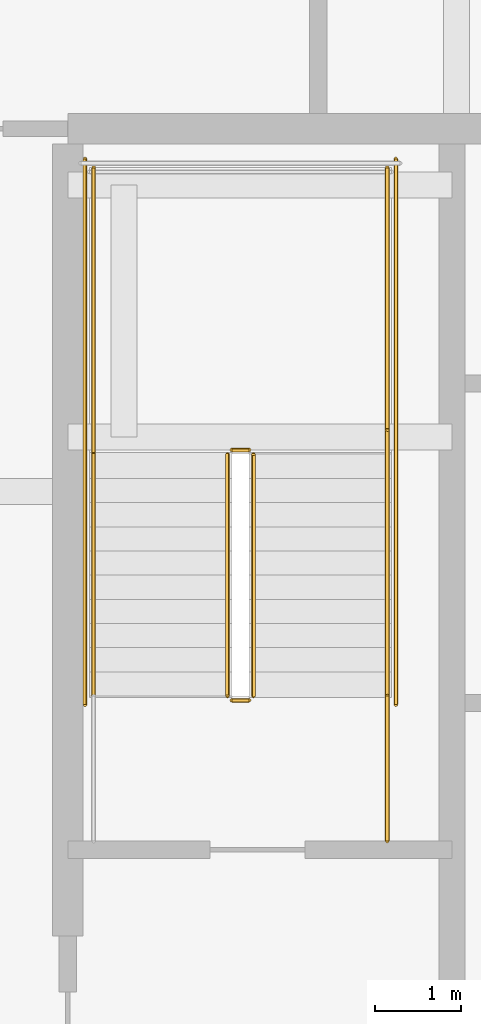
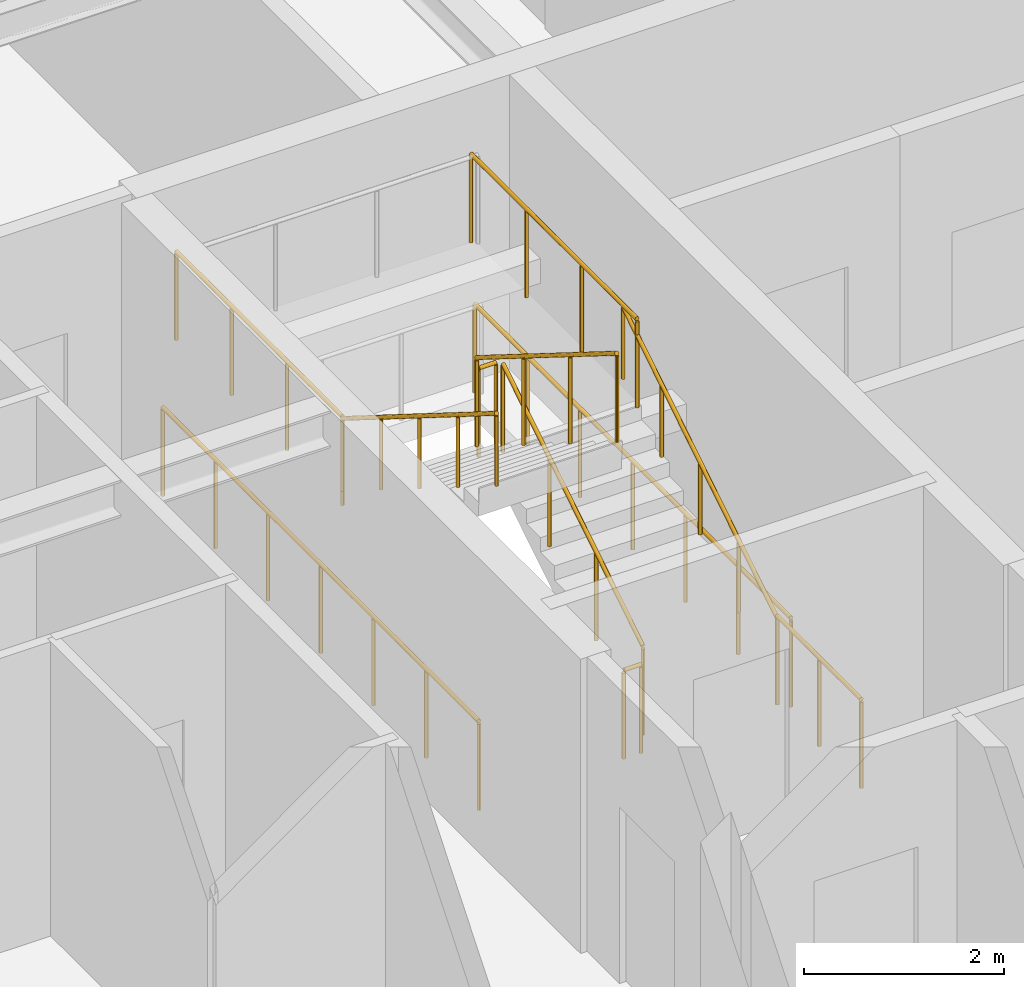
# One storey, part 34 of 37: 11 railings.
"""IFC4 building model written with IfcOpenShell, lengths in metres."""

from ifc_helpers import new_model, si_unit, direction, frame, origin, origin_2d, place, context, subcontext, project, spatial, circle, extrude, material, type_object, element, save


model = new_model("IFC4")

# Units and contexts
model_context = context("Model", 3, precision=1e-05, world=origin(), true_north=direction((0.0, 1.0)))
body_context = subcontext(model_context, "Body", "Model", "MODEL_VIEW")
ifc_project = project(units=[si_unit("LENGTHUNIT", "METRE"), si_unit("AREAUNIT", "SQUARE_METRE"), si_unit("VOLUMEUNIT", "CUBIC_METRE"), si_unit("PLANEANGLEUNIT", "RADIAN"), si_unit("MASSUNIT", "GRAM", prefix="KILO")], contexts=[model_context])

# Site, building, storey
site_placement = place(None, origin())
site = spatial("IfcSite", under=ifc_project, at=site_placement, CompositionType="ELEMENT")
building_placement = place(site_placement, origin())
building = spatial("IfcBuilding", under=site, at=building_placement, Name="Serunith Strait Residences", CompositionType="ELEMENT")
storey_placement = place(building_placement, frame((0.0, 0.0, 279.75)))
storey = spatial("IfcBuildingStorey", under=building, at=storey_placement, Name="L70", CompositionType="ELEMENT", Elevation=279.75)

# Railings
ifc_material = material(Name="Brushed stainless steel 316L", Category="steel")
railing_type_1 = type_object("IfcRailingType", Name="RLG-STAIR-GUARD", PredefinedType="BALUSTRADE", material=ifc_material)
railing_1_placement = place(storey_placement, frame((25.550048828125, 27.030029296875, 0.175048828125)))
element("IfcRailing", 1, at=railing_1_placement, inside=storey, type_object=railing_type_1, Name="L70 ST-1 stair guard 1", PredefinedType="BALUSTRADE", context=body_context, shape_type="SweptSolid", body=[
    extrude(circle(Radius=0.02392578125, at=origin_2d()), frame((0.0, 0.001708984375, 1.0771484375), z_axis=(0.0, 0.848002457836, 0.529992293815), x_axis=(-1.0, 0.0, 0.0)), (0.0, 0.0, 1.0), 3.2978515625),
    extrude(circle(Radius=0.02099609375, at=origin_2d()), origin(), (0.0, 0.0, 1.0), 1.050048828125),
    extrude(circle(Radius=0.02099609375, at=origin_2d()), frame((0.0, 0.933349609375, 0.583251953125)), (0.0, 0.0, 1.0), 1.050048828125),
    extrude(circle(Radius=0.02099609375, at=origin_2d()), frame((0.0, 1.86669921875, 1.166748046875)), (0.0, 0.0, 1.0), 1.050048828125),
    extrude(circle(Radius=0.02099609375, at=origin_2d()), frame((0.0, 2.800048828125, 1.75)), (0.0, 0.0, 1.0), 1.050048828125),
])
railing_2_placement = place(storey_placement, frame((25.5, 29.8798828125, 1.925048828125)))
element("IfcRailing", 2, at=railing_2_placement, inside=storey, type_object=railing_type_1, Name="L70 ST-1 stair guard 2", PredefinedType="BALUSTRADE", context=body_context, shape_type="SweptSolid", body=[
    extrude(circle(Radius=0.02392578125, at=origin_2d()), frame((-0.001953125, 0.0, 1.076171875), z_axis=(-1.0, 0.0, 0.0), x_axis=(0.0, -1.0, 0.0)), (0.0, 0.0, 1.0), 0.196044921875),
    extrude(circle(Radius=0.02099609375, at=origin_2d()), origin(), (0.0, 0.0, 1.0), 1.050048828125),
    extrude(circle(Radius=0.02099609375, at=origin_2d()), frame((-0.199951171875, 0.0, 0.0)), (0.0, 0.0, 1.0), 1.050048828125),
])
for number, where, name in (
    (3, (27.10009765625, 29.830078125, 1.925048828125), "L70 ST-1 stair guard 3"),
    (4, (23.699951171875, 29.830078125, 1.925048828125), "L70 ST-1 stair guard 4"),
):
    element("IfcRailing", number, at=place(storey_placement, frame(where)), inside=storey, type_object=railing_type_1, Name=name, PredefinedType="BALUSTRADE", context=body_context, shape_type="SweptSolid", body=[
        extrude(circle(Radius=0.02392578125, at=origin_2d()), frame((0.0, 0.001953125, 1.076171875), z_axis=(0.0, 1.0, 0.0), x_axis=(-1.0, 0.0, 0.0)), (0.0, 0.0, 1.0), 3.31591796875),
        extrude(circle(Radius=0.02099609375, at=origin_2d()), origin(), (0.0, 0.0, 1.0), 1.050048828125),
        extrude(circle(Radius=0.02099609375, at=origin_2d()), frame((0.0, 1.106689453125, 0.0)), (0.0, 0.0, 1.0), 1.050048828125),
        extrude(circle(Radius=0.02099609375, at=origin_2d()), frame((0.0, 2.213134765625, 0.0)), (0.0, 0.0, 1.0), 1.050048828125),
        extrude(circle(Radius=0.02099609375, at=origin_2d()), frame((0.0, 3.31982421875, 0.0)), (0.0, 0.0, 1.0), 1.050048828125),
    ])
railing_3_placement = place(storey_placement, frame((25.25, 29.830078125, 2.10009765625)))
element("IfcRailing", 5, at=railing_3_placement, inside=storey, type_object=railing_type_1, Name="L70 ST-1 stair guard 6", PredefinedType="BALUSTRADE", context=body_context, shape_type="SweptSolid", body=[
    extrude(circle(Radius=0.02392578125, at=origin_2d()), frame((0.0, -0.001708984375, 1.0771484375), z_axis=(0.0, -0.848002457836, 0.529992293815), x_axis=(1.0, 0.0, 0.0)), (0.0, 0.0, 1.0), 3.2978515625),
    extrude(circle(Radius=0.02099609375, at=origin_2d()), origin(), (0.0, 0.0, 1.0), 1.050048828125),
    extrude(circle(Radius=0.02099609375, at=origin_2d()), frame((0.0, -0.933349609375, 0.583251953125)), (0.0, 0.0, 1.0), 1.050048828125),
    extrude(circle(Radius=0.02099609375, at=origin_2d()), frame((0.0, -1.86669921875, 1.166748046875)), (0.0, 0.0, 1.0), 1.050048828125),
    extrude(circle(Radius=0.02099609375, at=origin_2d()), frame((0.0, -2.800048828125, 1.75)), (0.0, 0.0, 1.0), 1.050048828125),
])
railing_4_placement = place(storey_placement, frame((25.5, 26.97998046875, 0.0)))
element("IfcRailing", 6, at=railing_4_placement, inside=storey, type_object=railing_type_1, Name="L70 ST-1 stair guard 7", PredefinedType="BALUSTRADE", context=body_context, shape_type="SweptSolid", body=[
    extrude(circle(Radius=0.02392578125, at=origin_2d()), frame((-0.001953125, 0.0, 1.076171875), z_axis=(-1.0, 0.0, 0.0), x_axis=(0.0, -1.0, 0.0)), (0.0, 0.0, 1.0), 0.196044921875),
    extrude(circle(Radius=0.02099609375, at=origin_2d()), origin(), (0.0, 0.0, 1.0), 1.050048828125),
    extrude(circle(Radius=0.02099609375, at=origin_2d()), frame((-0.199951171875, 0.0, 0.0)), (0.0, 0.0, 1.0), 1.050048828125),
])
railing_5_placement = place(storey_placement, frame((27.10009765625, 25.35009765625, 0.0)))
element("IfcRailing", 7, at=railing_5_placement, inside=storey, type_object=railing_type_1, Name="L70 ST-1 stair guard 8", PredefinedType="BALUSTRADE", context=body_context, shape_type="SweptSolid", body=[
    extrude(circle(Radius=0.02392578125, at=origin_2d()), frame((0.0, 0.001953125, 1.076171875), z_axis=(0.0, 1.0, 0.0), x_axis=(-1.0, 0.0, 0.0)), (0.0, 0.0, 1.0), 1.676025390625),
    extrude(circle(Radius=0.02099609375, at=origin_2d()), origin(), (0.0, 0.0, 1.0), 1.050048828125),
    extrude(circle(Radius=0.02099609375, at=origin_2d()), frame((0.0, 0.83984375, 0.0)), (0.0, 0.0, 1.0), 1.050048828125),
    extrude(circle(Radius=0.02099609375, at=origin_2d()), frame((0.0, 1.679931640625, 0.0)), (0.0, 0.0, 1.0), 1.050048828125),
])
for number, where, name in (
    (8, (27.199951171875, 26.929931640625, 0.0), "L70 ST-1 stair guard 10"),
    (9, (23.60009765625, 26.929931640625, 0.0), "L70 ST-1 stair guard 11"),
):
    element("IfcRailing", number, at=place(storey_placement, frame(where)), inside=storey, type_object=railing_type_1, Name=name, PredefinedType="BALUSTRADE", context=body_context, shape_type="SweptSolid", body=[
        extrude(circle(Radius=0.02392578125, at=origin_2d()), frame((0.0, 0.001953125, 1.076171875), z_axis=(0.0, 1.0, 0.0), x_axis=(-1.0, 0.0, 0.0)), (0.0, 0.0, 1.0), 6.316162109375),
        extrude(circle(Radius=0.02099609375, at=origin_2d()), origin(), (0.0, 0.0, 1.0), 1.050048828125),
        extrude(circle(Radius=0.02099609375, at=origin_2d()), frame((0.0, 1.05322265625, 0.0)), (0.0, 0.0, 1.0), 1.050048828125),
        extrude(circle(Radius=0.02099609375, at=origin_2d()), frame((0.0, 2.106689453125, 0.0)), (0.0, 0.0, 1.0), 1.050048828125),
        extrude(circle(Radius=0.02099609375, at=origin_2d()), frame((0.0, 3.16015625, 0.0)), (0.0, 0.0, 1.0), 1.050048828125),
        extrude(circle(Radius=0.02099609375, at=origin_2d()), frame((0.0, 4.21337890625, 0.0)), (0.0, 0.0, 1.0), 1.050048828125),
        extrude(circle(Radius=0.02099609375, at=origin_2d()), frame((0.0, 5.2666015625, 0.0)), (0.0, 0.0, 1.0), 1.050048828125),
        extrude(circle(Radius=0.02099609375, at=origin_2d()), frame((0.0, 6.320068359375, 0.0)), (0.0, 0.0, 1.0), 1.050048828125),
    ])
railing_type_2 = type_object("IfcRailingType", Name="RLG-STAIR-HR", PredefinedType="HANDRAIL", material=ifc_material)
railing_6_placement = place(storey_placement, frame((27.10009765625, 27.030029296875, 0.175048828125)))
element("IfcRailing", 10, at=railing_6_placement, inside=storey, type_object=railing_type_2, Name="L70 ST-1 stair handrail 1", PredefinedType="HANDRAIL", context=body_context, shape_type="SweptSolid", body=[
    extrude(circle(Radius=0.02392578125, at=origin_2d()), frame((0.0, 0.001708984375, 0.876953125), z_axis=(0.0, 0.847393994688, 0.530964610654), x_axis=(-1.0, 0.0, 0.0)), (0.0, 0.0, 1.0), 3.630859375),
    extrude(circle(Radius=0.02099609375, at=origin_2d()), origin(), (0.0, 0.0, 1.0), 0.849853515625),
    extrude(circle(Radius=0.02099609375, at=origin_2d()), frame((0.0, 0.77001953125, 0.482421875)), (0.0, 0.0, 1.0), 0.849853515625),
    extrude(circle(Radius=0.02099609375, at=origin_2d()), frame((0.0, 1.5400390625, 0.96484375)), (0.0, 0.0, 1.0), 0.849853515625),
    extrude(circle(Radius=0.02099609375, at=origin_2d()), frame((0.0, 2.31005859375, 1.447509765625)), (0.0, 0.0, 1.0), 0.849853515625),
    extrude(circle(Radius=0.02099609375, at=origin_2d()), frame((0.0, 3.080078125, 1.929931640625)), (0.0, 0.0, 1.0), 0.849853515625),
])
railing_7_placement = place(storey_placement, frame((23.699951171875, 29.830078125, 2.10009765625)))
element("IfcRailing", 11, at=railing_7_placement, inside=storey, type_object=railing_type_2, Name="L70 ST-1 stair handrail 2", PredefinedType="HANDRAIL", context=body_context, shape_type="SweptSolid", body=[
    extrude(circle(Radius=0.02392578125, at=origin_2d()), frame((0.0, -0.001708984375, 0.876953125), z_axis=(0.0, -0.847393994688, 0.530964610654), x_axis=(1.0, 0.0, 0.0)), (0.0, 0.0, 1.0), 3.630859375),
    extrude(circle(Radius=0.02099609375, at=origin_2d()), origin(), (0.0, 0.0, 1.0), 0.849853515625),
    extrude(circle(Radius=0.02099609375, at=origin_2d()), frame((0.0, -0.77001953125, 0.482421875)), (0.0, 0.0, 1.0), 0.849853515625),
    extrude(circle(Radius=0.02099609375, at=origin_2d()), frame((0.0, -1.5400390625, 0.96484375)), (0.0, 0.0, 1.0), 0.849853515625),
    extrude(circle(Radius=0.02099609375, at=origin_2d()), frame((0.0, -2.31005859375, 1.447509765625)), (0.0, 0.0, 1.0), 0.849853515625),
    extrude(circle(Radius=0.02099609375, at=origin_2d()), frame((0.0, -3.080078125, 1.929931640625)), (0.0, 0.0, 1.0), 0.849853515625),
])

save(model, "model.ifc")
